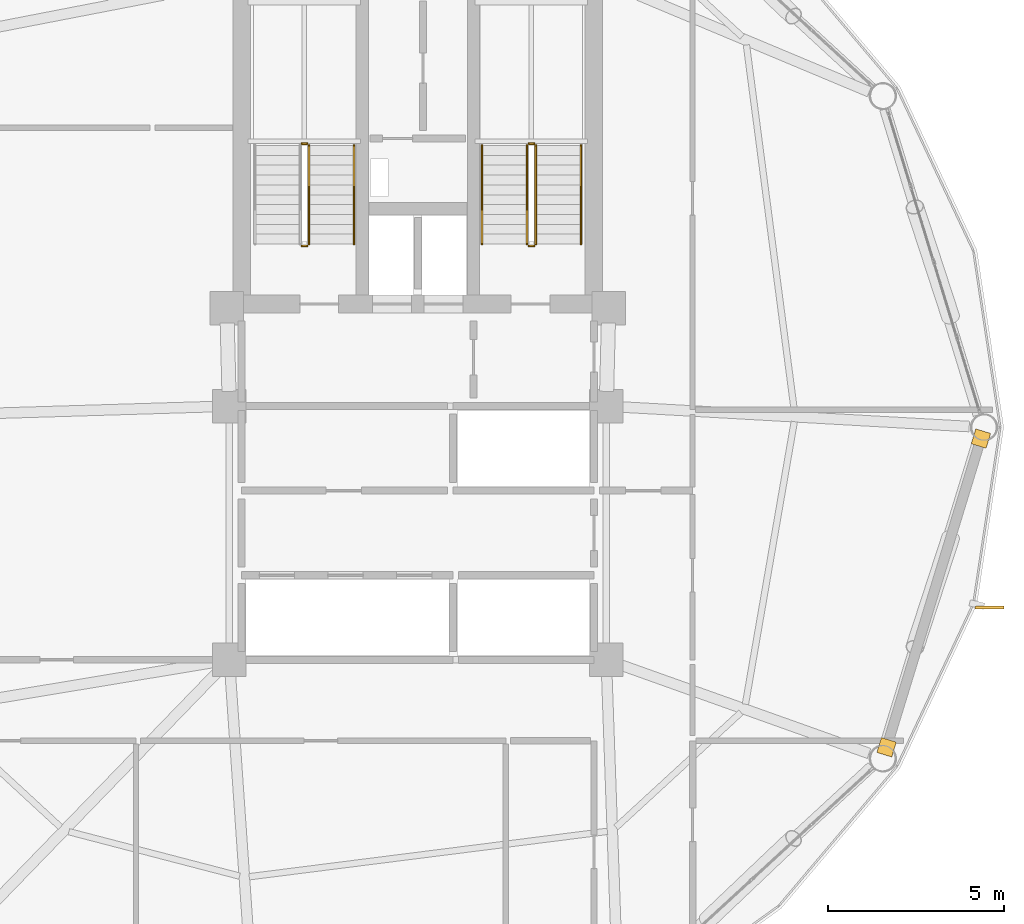
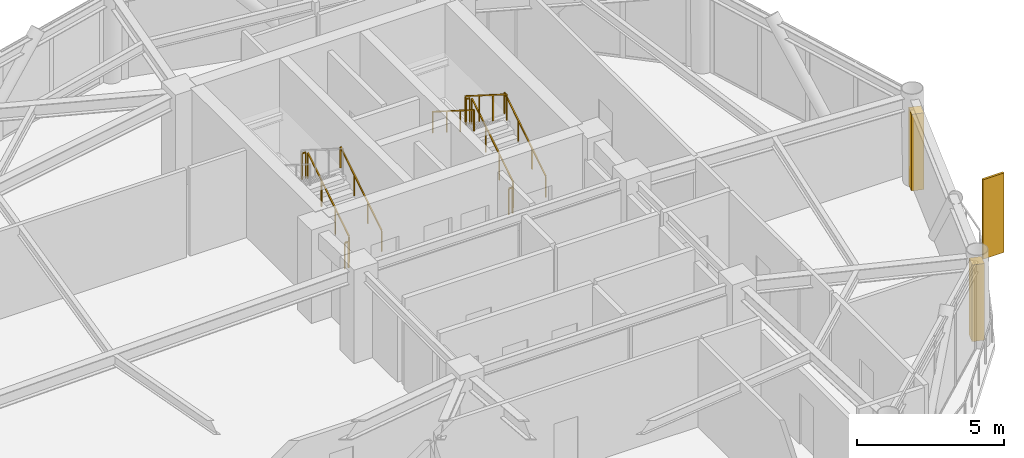
# One storey, part 23 of 24: 10 railings, 2 coverings, 1 shading device.
"""IFC4 building model written with IfcOpenShell, lengths in metres."""

from ifc_helpers import new_model, si_unit, direction, frame, origin, origin_2d, place, context, subcontext, project, spatial, rectangle, extrude, source, transform, mapped, material, layer, layer_set, type_object, type_shapes, element, save


model = new_model("IFC4")

# Units and contexts
model_context = context("Model", 3, precision=1e-05, world=origin(), true_north=direction((0.0, 1.0)))
body_context = subcontext(model_context, "Body", "Model", "MODEL_VIEW")
ifc_project = project(units=[si_unit("LENGTHUNIT", "METRE"), si_unit("AREAUNIT", "SQUARE_METRE"), si_unit("VOLUMEUNIT", "CUBIC_METRE"), si_unit("PLANEANGLEUNIT", "RADIAN"), si_unit("MASSUNIT", "GRAM", prefix="KILO")], contexts=[model_context])

# Site, building, storey
site_placement = place(None, origin())
site = spatial("IfcSite", under=ifc_project, at=site_placement, CompositionType="ELEMENT")
building_placement = place(site_placement, origin())
building = spatial("IfcBuilding", under=site, at=building_placement, Name="Varnakorn Sky Granary", CompositionType="ELEMENT")
storey_placement = place(building_placement, frame((0.0, 0.0, 161.699951171875)))
storey = spatial("IfcBuildingStorey", under=building, at=storey_placement, Name="L40", CompositionType="ELEMENT", Elevation=161.699951171875)

# Railings
ifc_material_1 = material(Name="Brushed Stainless Steel 316", Category="steel")
railing_type_1 = type_object("IfcRailingType", Name="RL-STAIR-1100", PredefinedType="GUARDRAIL", material=ifc_material_1)
railing_1_placement = place(storey_placement, frame((-0.090087890625, 5.199951171875, 0.17724609375)))
element("IfcRailing", 1, at=railing_1_placement, inside=storey, type_object=railing_type_1, Name="L40 ST-1 stair guard 1", PredefinedType="GUARDRAIL", context=body_context, shape_type="SweptSolid", body=[
    extrude(rectangle(XDim=0.048095703125, YDim=0.048095703125, at=origin_2d()), frame((0.0, 0.0, 1.076171875), z_axis=(0.0, 0.844908973607, 0.534910110503), x_axis=(-1.0, 0.0, 0.0)), (0.0, 0.0, 1.0), 3.31396484375),
    extrude(rectangle(XDim=0.0419921875, YDim=0.0419921875, at=origin_2d()), origin(), (0.0, 0.0, 1.0), 1.048095703125),
    extrude(rectangle(XDim=0.0419921875, YDim=0.0419921875, at=origin_2d()), frame((0.0, 0.933349609375, 0.5908203125)), (0.0, 0.0, 1.0), 1.048095703125),
    extrude(rectangle(XDim=0.0419921875, YDim=0.0419921875, at=origin_2d()), frame((0.0, 1.86669921875, 1.181884765625)), (0.0, 0.0, 1.0), 1.048095703125),
    extrude(rectangle(XDim=0.0419921875, YDim=0.0419921875, at=origin_2d()), frame((0.0, 2.800048828125, 1.772705078125)), (0.0, 0.0, 1.0), 1.048095703125),
])
for number, where, name in (
    (2, (-0.139892578125, 8.050048828125, 1.949951171875), "L40 ST-1 stair guard 2"),
    (3, (-0.139892578125, 5.14990234375, 0.0), "L40 ST-1 stair guard 4"),
):
    element("IfcRailing", number, at=place(storey_placement, frame(where)), inside=storey, type_object=railing_type_1, Name=name, PredefinedType="GUARDRAIL", context=body_context, shape_type="SweptSolid", body=[
        extrude(rectangle(XDim=0.048095703125, YDim=0.048095703125, at=origin_2d()), frame((0.0, 0.0, 1.076171875), z_axis=(-1.0, 0.0, 0.0), x_axis=(0.0, -1.0, 0.0)), (0.0, 0.0, 1.0), 0.150146484375),
        extrude(rectangle(XDim=0.0419921875, YDim=0.0419921875, at=origin_2d()), origin(), (0.0, 0.0, 1.0), 1.048095703125),
        extrude(rectangle(XDim=0.0419921875, YDim=0.0419921875, at=origin_2d()), frame((-0.150146484375, 0.0, 0.0)), (0.0, 0.0, 1.0), 1.048095703125),
    ])
railing_2_placement = place(storey_placement, frame((6.35009765625, 5.199951171875, 0.17724609375)))
element("IfcRailing", 4, at=railing_2_placement, inside=storey, type_object=railing_type_1, Name="L40 ST-2 stair guard 1", PredefinedType="GUARDRAIL", context=body_context, shape_type="SweptSolid", body=[
    extrude(rectangle(XDim=0.048095703125, YDim=0.048095703125, at=origin_2d()), frame((0.0, 0.0, 1.076171875), z_axis=(0.0, 0.844908973607, 0.534910110503), x_axis=(-1.0, 0.0, 0.0)), (0.0, 0.0, 1.0), 3.31396484375),
    extrude(rectangle(XDim=0.0419921875, YDim=0.0419921875, at=origin_2d()), origin(), (0.0, 0.0, 1.0), 1.048095703125),
    extrude(rectangle(XDim=0.0419921875, YDim=0.0419921875, at=origin_2d()), frame((0.0, 0.933349609375, 0.5908203125)), (0.0, 0.0, 1.0), 1.048095703125),
    extrude(rectangle(XDim=0.0419921875, YDim=0.0419921875, at=origin_2d()), frame((0.0, 1.86669921875, 1.181884765625)), (0.0, 0.0, 1.0), 1.048095703125),
    extrude(rectangle(XDim=0.0419921875, YDim=0.0419921875, at=origin_2d()), frame((0.0, 2.800048828125, 1.772705078125)), (0.0, 0.0, 1.0), 1.048095703125),
])
railing_3_placement = place(storey_placement, frame((6.300048828125, 8.050048828125, 1.949951171875)))
element("IfcRailing", 5, at=railing_3_placement, inside=storey, type_object=railing_type_1, Name="L40 ST-2 stair guard 2", PredefinedType="GUARDRAIL", context=body_context, shape_type="SweptSolid", body=[
    extrude(rectangle(XDim=0.048095703125, YDim=0.048095703125, at=origin_2d()), frame((0.0, 0.0, 1.076171875), z_axis=(-1.0, 0.0, 0.0), x_axis=(0.0, -1.0, 0.0)), (0.0, 0.0, 1.0), 0.150146484375),
    extrude(rectangle(XDim=0.0419921875, YDim=0.0419921875, at=origin_2d()), origin(), (0.0, 0.0, 1.0), 1.048095703125),
    extrude(rectangle(XDim=0.0419921875, YDim=0.0419921875, at=origin_2d()), frame((-0.150146484375, 0.0, 0.0)), (0.0, 0.0, 1.0), 1.048095703125),
])
railing_4_placement = place(storey_placement, frame((6.10009765625, 8.0, 2.12744140625)))
element("IfcRailing", 6, at=railing_4_placement, inside=storey, type_object=railing_type_1, Name="L40 ST-2 stair guard 3", PredefinedType="GUARDRAIL", context=body_context, shape_type="SweptSolid", body=[
    extrude(rectangle(XDim=0.048095703125, YDim=0.048095703125, at=origin_2d()), frame((0.0, 0.0, 1.076171875), z_axis=(0.0, -0.844908973607, 0.534910110503), x_axis=(1.0, 0.0, 0.0)), (0.0, 0.0, 1.0), 3.31396484375),
    extrude(rectangle(XDim=0.0419921875, YDim=0.0419921875, at=origin_2d()), origin(), (0.0, 0.0, 1.0), 1.048095703125),
    extrude(rectangle(XDim=0.0419921875, YDim=0.0419921875, at=origin_2d()), frame((0.0, -0.933349609375, 0.5908203125)), (0.0, 0.0, 1.0), 1.048095703125),
    extrude(rectangle(XDim=0.0419921875, YDim=0.0419921875, at=origin_2d()), frame((0.0, -1.86669921875, 1.181884765625)), (0.0, 0.0, 1.0), 1.048095703125),
    extrude(rectangle(XDim=0.0419921875, YDim=0.0419921875, at=origin_2d()), frame((0.0, -2.800048828125, 1.772705078125)), (0.0, 0.0, 1.0), 1.048095703125),
])
railing_5_placement = place(storey_placement, frame((6.300048828125, 5.14990234375, 0.0)))
element("IfcRailing", 7, at=railing_5_placement, inside=storey, type_object=railing_type_1, Name="L40 ST-2 stair guard 4", PredefinedType="GUARDRAIL", context=body_context, shape_type="SweptSolid", body=[
    extrude(rectangle(XDim=0.048095703125, YDim=0.048095703125, at=origin_2d()), frame((0.0, 0.0, 1.076171875), z_axis=(-1.0, 0.0, 0.0), x_axis=(0.0, -1.0, 0.0)), (0.0, 0.0, 1.0), 0.150146484375),
    extrude(rectangle(XDim=0.0419921875, YDim=0.0419921875, at=origin_2d()), origin(), (0.0, 0.0, 1.0), 1.048095703125),
    extrude(rectangle(XDim=0.0419921875, YDim=0.0419921875, at=origin_2d()), frame((-0.150146484375, 0.0, 0.0)), (0.0, 0.0, 1.0), 1.048095703125),
])
railing_type_2 = type_object("IfcRailingType", Name="RL-STAIR-920", PredefinedType="HANDRAIL", material=ifc_material_1)
for number, where, name in (
    (8, (1.18994140625, 5.199951171875, 0.17724609375), "L40 ST-1 stair handrail 1"),
    (9, (7.6298828125, 5.199951171875, 0.17724609375), "L40 ST-2 stair handrail 1"),
):
    element("IfcRailing", number, at=place(storey_placement, frame(where)), inside=storey, type_object=railing_type_2, Name=name, PredefinedType="HANDRAIL", context=body_context, shape_type="SweptSolid", body=[
        extrude(rectangle(XDim=0.048095703125, YDim=0.048095703125, at=origin_2d()), frame((0.0, 0.0, 0.8759765625), z_axis=(0.0, 0.844908973607, 0.534910110503), x_axis=(-1.0, 0.0, 0.0)), (0.0, 0.0, 1.0), 3.31396484375),
        extrude(rectangle(XDim=0.0419921875, YDim=0.0419921875, at=origin_2d()), origin(), (0.0, 0.0, 1.0), 0.847900390625),
        extrude(rectangle(XDim=0.0419921875, YDim=0.0419921875, at=origin_2d()), frame((0.0, 0.933349609375, 0.5908203125)), (0.0, 0.0, 1.0), 0.847900390625),
        extrude(rectangle(XDim=0.0419921875, YDim=0.0419921875, at=origin_2d()), frame((0.0, 1.86669921875, 1.181884765625)), (0.0, 0.0, 1.0), 0.847900390625),
        extrude(rectangle(XDim=0.0419921875, YDim=0.0419921875, at=origin_2d()), frame((0.0, 2.800048828125, 1.772705078125)), (0.0, 0.0, 1.0), 0.847900390625),
    ])
railing_6_placement = place(storey_placement, frame((4.820068359375, 8.0, 2.12744140625)))
element("IfcRailing", 10, at=railing_6_placement, inside=storey, type_object=railing_type_2, Name="L40 ST-2 stair handrail 2", PredefinedType="HANDRAIL", context=body_context, shape_type="SweptSolid", body=[
    extrude(rectangle(XDim=0.048095703125, YDim=0.048095703125, at=origin_2d()), frame((0.0, 0.0, 0.8759765625), z_axis=(0.0, -0.844908973607, 0.534910110503), x_axis=(1.0, 0.0, 0.0)), (0.0, 0.0, 1.0), 3.31396484375),
    extrude(rectangle(XDim=0.0419921875, YDim=0.0419921875, at=origin_2d()), origin(), (0.0, 0.0, 1.0), 0.847900390625),
    extrude(rectangle(XDim=0.0419921875, YDim=0.0419921875, at=origin_2d()), frame((0.0, -0.933349609375, 0.5908203125)), (0.0, 0.0, 1.0), 0.847900390625),
    extrude(rectangle(XDim=0.0419921875, YDim=0.0419921875, at=origin_2d()), frame((0.0, -1.86669921875, 1.181884765625)), (0.0, 0.0, 1.0), 0.847900390625),
    extrude(rectangle(XDim=0.0419921875, YDim=0.0419921875, at=origin_2d()), frame((0.0, -2.800048828125, 1.772705078125)), (0.0, 0.0, 1.0), 0.847900390625),
])

# Shading device
ifc_material_2 = material(Name="Anodised Bronze Aluminium Alloy 6063-T6", Category="aluminium")
shading_device_type = type_object("IfcShadingDeviceType", Name="SH-FIN-02", PredefinedType="USERDEFINED", material=ifc_material_2)
shared_shape_1 = source(origin(), body_context, "Body", "SweptSolid", [
    extrude(rectangle(XDim=0.0849609375, YDim=0.820068359375, at=origin_2d()), origin(), (0.0, 0.0, 1.0), 3.300048828125),
])
type_shapes(shading_device_type, [shared_shape_1])
shading_device_placement = place(storey_placement, frame((19.229248046875, -5.12060546875, -0.0400390625), z_axis=(0.0, 0.0, 1.0), x_axis=(-0.00496233357, 0.999987687547, 0.0)))
element("IfcShadingDevice", 11, at=shading_device_placement, inside=storey, type_object=shading_device_type, Name="Bronze Solar-Tracking Vertical Blade FIN L40-12", ObjectType="FIN", PredefinedType="USERDEFINED", context=body_context, shape_type="MappedRepresentation", body=[
    mapped(shared_shape_1, transform((0.0, 0.0, 0.0), x_axis=(1.0, 0.0, 0.0), y_axis=(0.0, 1.0, 0.0), z_axis=(0.0, 0.0, 1.0), scale=1.0)),
])

# Coverings
ifc_layer = layer(ifc_material_2, 0.050048828125, Name="Anodised Bronze Aluminium Alloy 6063-T6")
ifc_layer_set = layer_set([ifc_layer], Name="Anodised Bronze Aluminium Alloy 6063-T6")
covering_type = type_object("IfcCoveringType", Name="CV-CLAD-50", PredefinedType="CLADDING", material=ifc_layer_set)
shared_shape_2 = source(origin(), body_context, "Body", "SweptSolid", [
    extrude(rectangle(XDim=0.43994140625, YDim=0.43994140625, at=origin_2d()), origin(), (0.0, 0.0, 1.0), 3.179931640625),
])
type_shapes(covering_type, [shared_shape_2])
for number, where, z_axis, x_axis, name in (
    (12, (18.98486328125, -0.3212890625, -0.02001953125), (0.0, 0.0, 1.0), (-0.292371704723, -0.956304755963, 0.0), "Bronze Corner Pilaster Closure L40-P12-A"),
    (13, (16.306640625, -9.083740234375, -0.02001953125), (0.0, 0.0, 1.0), (-0.292371704723, -0.956304755963, 0.0), "Bronze Corner Pilaster Closure L40-P12-B"),
):
    element("IfcCovering", number, at=place(storey_placement, frame(where, z_axis=z_axis, x_axis=x_axis)), inside=storey, type_object=covering_type, Name=name, PredefinedType="CLADDING", context=body_context, shape_type="MappedRepresentation", body=[
        mapped(shared_shape_2, transform((0.0, 0.0, 0.0), x_axis=(1.0, 0.0, 0.0), y_axis=(0.0, 1.0, 0.0), z_axis=(0.0, 0.0, 1.0), scale=1.0)),
    ])

save(model, "model.ifc")
